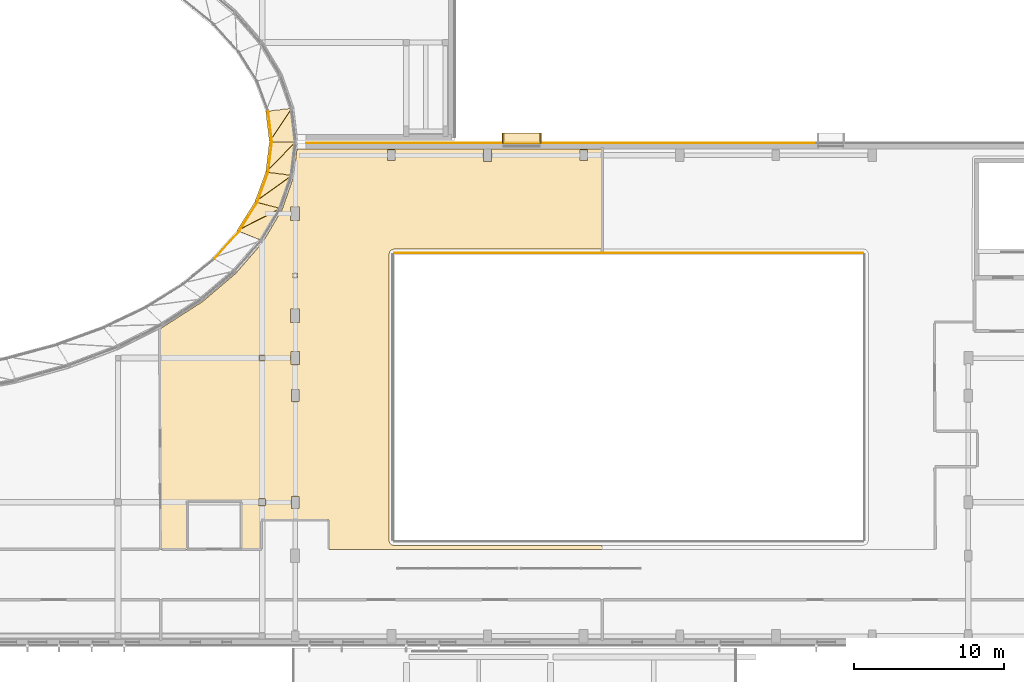
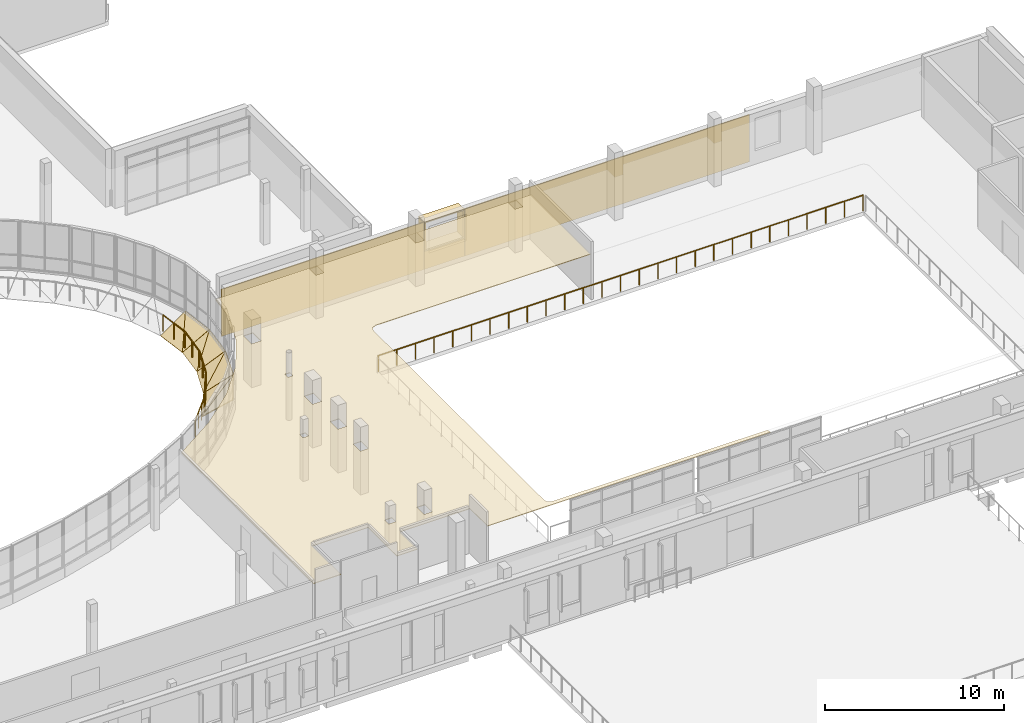
# One storey, part 62 of 73: 16 coverings, 6 railings.
"""IFC4 building model written with IfcOpenShell, lengths in metres."""

from ifc_helpers import new_model, si_unit, direction, frame, origin, origin_2d, place, context, subcontext, project, spatial, polyline, rectangle, circle, outline, extrude, material, layer, layer_set, type_object, element, save


model = new_model("IFC4")

# Units and contexts
model_context = context("Model", 3, precision=1e-05, world=origin(), true_north=direction((0.0, 1.0)))
body_context = subcontext(model_context, "Body", "Model", "MODEL_VIEW")
ifc_project = project(units=[si_unit("LENGTHUNIT", "METRE"), si_unit("AREAUNIT", "SQUARE_METRE"), si_unit("VOLUMEUNIT", "CUBIC_METRE"), si_unit("PLANEANGLEUNIT", "RADIAN"), si_unit("MASSUNIT", "GRAM", prefix="KILO")], contexts=[model_context])

# Site, building, storey
site_placement = place(None, origin())
site = spatial("IfcSite", under=ifc_project, at=site_placement, CompositionType="ELEMENT")
building_placement = place(site_placement, origin())
building = spatial("IfcBuilding", under=site, at=building_placement, Name="Mzevani Central Library", CompositionType="ELEMENT")
storey_placement = place(building_placement, frame((0.0, 0.0, 9.60009765625)))
storey = spatial("IfcBuildingStorey", under=building, at=storey_placement, Name="L02", CompositionType="ELEMENT", Elevation=9.60009765625)

# Railing
ifc_material_1 = material(Name="Brushed stainless steel rail", Category="steel")
railing_type_1 = type_object("IfcRailingType", Name="Interior Gallery and Stair Guard 1100", PredefinedType="BALUSTRADE", material=ifc_material_1)
railing_1_placement = place(storey_placement, frame((120.800048828125, 68.60009765625, 0.0)))
element("IfcRailing", 1, at=railing_1_placement, inside=storey, type_object=railing_type_1, Name="L02 V1 Double-Height Void Guard 7", PredefinedType="BALUSTRADE", context=body_context, shape_type="SweptSolid", body=[
    extrude(circle(Radius=0.02392578125, at=origin_2d()), frame((0.0, 0.0, 1.076171875), z_axis=(1.0, 0.0, 0.0), x_axis=(0.0, 1.0, 0.0)), (0.0, 0.0, 1.0), 31.199951171875),
    extrude(circle(Radius=0.02099609375, at=origin_2d()), origin(), (0.0, 0.0, 1.0), 1.052001953125),
    extrude(circle(Radius=0.02099609375, at=origin_2d()), frame((1.199951171875, 0.0, 0.0)), (0.0, 0.0, 1.0), 1.052001953125),
    extrude(circle(Radius=0.02099609375, at=origin_2d()), frame((2.39990234375, 0.0, 0.0)), (0.0, 0.0, 1.0), 1.052001953125),
    extrude(circle(Radius=0.02099609375, at=origin_2d()), frame((3.60009765625, 0.0, 0.0)), (0.0, 0.0, 1.0), 1.052001953125),
    extrude(circle(Radius=0.02099609375, at=origin_2d()), frame((4.800048828125, 0.0, 0.0)), (0.0, 0.0, 1.0), 1.052001953125),
    extrude(circle(Radius=0.02099609375, at=origin_2d()), frame((6.0, 0.0, 0.0)), (0.0, 0.0, 1.0), 1.052001953125),
    extrude(circle(Radius=0.02099609375, at=origin_2d()), frame((7.199951171875, 0.0, 0.0)), (0.0, 0.0, 1.0), 1.052001953125),
    extrude(circle(Radius=0.02099609375, at=origin_2d()), frame((8.39990234375, 0.0, 0.0)), (0.0, 0.0, 1.0), 1.052001953125),
    extrude(circle(Radius=0.02099609375, at=origin_2d()), frame((9.60009765625, 0.0, 0.0)), (0.0, 0.0, 1.0), 1.052001953125),
    extrude(circle(Radius=0.02099609375, at=origin_2d()), frame((10.800048828125, 0.0, 0.0)), (0.0, 0.0, 1.0), 1.052001953125),
    extrude(circle(Radius=0.02099609375, at=origin_2d()), frame((12.0, 0.0, 0.0)), (0.0, 0.0, 1.0), 1.052001953125),
    extrude(circle(Radius=0.02099609375, at=origin_2d()), frame((13.199951171875, 0.0, 0.0)), (0.0, 0.0, 1.0), 1.052001953125),
    extrude(circle(Radius=0.02099609375, at=origin_2d()), frame((14.39990234375, 0.0, 0.0)), (0.0, 0.0, 1.0), 1.052001953125),
    extrude(circle(Radius=0.02099609375, at=origin_2d()), frame((15.60009765625, 0.0, 0.0)), (0.0, 0.0, 1.0), 1.052001953125),
    extrude(circle(Radius=0.02099609375, at=origin_2d()), frame((16.800048828125, 0.0, 0.0)), (0.0, 0.0, 1.0), 1.052001953125),
    extrude(circle(Radius=0.02099609375, at=origin_2d()), frame((18.0, 0.0, 0.0)), (0.0, 0.0, 1.0), 1.052001953125),
    extrude(circle(Radius=0.02099609375, at=origin_2d()), frame((19.199951171875, 0.0, 0.0)), (0.0, 0.0, 1.0), 1.052001953125),
    extrude(circle(Radius=0.02099609375, at=origin_2d()), frame((20.39990234375, 0.0, 0.0)), (0.0, 0.0, 1.0), 1.052001953125),
    extrude(circle(Radius=0.02099609375, at=origin_2d()), frame((21.599853515625, 0.0, 0.0)), (0.0, 0.0, 1.0), 1.052001953125),
    extrude(circle(Radius=0.02099609375, at=origin_2d()), frame((22.800048828125, 0.0, 0.0)), (0.0, 0.0, 1.0), 1.052001953125),
    extrude(circle(Radius=0.02099609375, at=origin_2d()), frame((24.0, 0.0, 0.0)), (0.0, 0.0, 1.0), 1.052001953125),
    extrude(circle(Radius=0.02099609375, at=origin_2d()), frame((25.199951171875, 0.0, 0.0)), (0.0, 0.0, 1.0), 1.052001953125),
    extrude(circle(Radius=0.02099609375, at=origin_2d()), frame((26.39990234375, 0.0, 0.0)), (0.0, 0.0, 1.0), 1.052001953125),
    extrude(circle(Radius=0.02099609375, at=origin_2d()), frame((27.599853515625, 0.0, 0.0)), (0.0, 0.0, 1.0), 1.052001953125),
    extrude(circle(Radius=0.02099609375, at=origin_2d()), frame((28.800048828125, 0.0, 0.0)), (0.0, 0.0, 1.0), 1.052001953125),
    extrude(circle(Radius=0.02099609375, at=origin_2d()), frame((30.0, 0.0, 0.0)), (0.0, 0.0, 1.0), 1.052001953125),
    extrude(circle(Radius=0.02099609375, at=origin_2d()), frame((31.199951171875, 0.0, 0.0)), (0.0, 0.0, 1.0), 1.052001953125),
])

# Coverings
ifc_material_2 = material(Name="Limestone ashlar cladding", Category="masonry")
ifc_layer_1 = layer(ifc_material_2, 0.050048828125, Name="Limestone Ashlar Spandrel Cladding")
ifc_layer_set_1 = layer_set([ifc_layer_1], Name="Limestone ashlar cladding")
covering_type_1 = type_object("IfcCoveringType", Name="Limestone Ashlar Spandrel Cladding", PredefinedType="CLADDING", material=ifc_layer_set_1)
covering_1_placement = place(storey_placement, frame((112.47998046875, 76.002685546875, -0.280029296875), z_axis=(-0.479734759753, -0.057922107263, 0.875499622944), x_axis=(-0.119867246619, 0.992789929032, 0.0)))
element("IfcCovering", 2, at=covering_1_placement, inside=storey, type_object=covering_type_1, Name="L02 Curved Court Spandrel Apron 1A", PredefinedType="CLADDING", context=body_context, shape_type="SweptSolid", body=[
    extrude(outline(polyline([(0.0, 0.0), (2.0265746375832947, 0.0), (2.0320000634221618, -1.9865968259319575), (0.0, 0.0)])), origin(), (0.0, 0.0, -1.0), 0.06005859375),
])
covering_2_placement = place(storey_placement, frame((112.47998046875, 76.002685546875, -0.280029296875), z_axis=(-0.482186619498, -0.055767405861, 0.874291747885), x_axis=(0.521914269667, 0.783258007663, 0.3378052524)))
element("IfcCovering", 3, at=covering_2_placement, inside=storey, type_object=covering_type_1, Name="L02 Curved Court Spandrel Apron 1B", PredefinedType="CLADDING", context=body_context, shape_type="SweptSolid", body=[
    extrude(outline(polyline([(0.0, 0.0), (2.84175847083291, 1.6653345369377348e-16), (1.2364213062782332, -1.555756939973536), (0.0, 0.0)])), origin(), (0.0, 0.0, -1.0), 0.06005859375),
])
covering_3_placement = place(storey_placement, frame((110.31689453125, 70.08740234375, -0.280029296875), z_axis=(-0.424403574103, 0.265442184263, 0.86569166168), x_axis=(0.530271784497, 0.847827715144, 0.0)))
element("IfcCovering", 4, at=covering_3_placement, inside=storey, type_object=covering_type_1, Name="L02 Curved Court Spandrel Apron 46A", PredefinedType="CLADDING", context=body_context, shape_type="SweptSolid", body=[
    extrude(outline(polyline([(0.0, 0.0), (2.2518486402346767, -2.220446049250313e-16), (2.7715644525760066, -1.9177064896022358), (0.0, 0.0)])), origin(), (0.0, 0.0, -1.0), 0.06005859375),
])
covering_4_placement = place(storey_placement, frame((110.31689453125, 70.08740234375, -0.280029296875), z_axis=(-0.419291796446, 0.251011552802, 0.872460652289), x_axis=(0.853682509107, 0.436004668843, 0.28482644258)))
element("IfcCovering", 5, at=covering_4_placement, inside=storey, type_object=covering_type_1, Name="L02 Curved Court Spandrel Apron 46B", PredefinedType="CLADDING", context=body_context, shape_type="SweptSolid", body=[
    extrude(outline(polyline([(0.0, 0.0), (3.3703364364771473, 0.0), (1.3746982965026384, -1.4314135002236956), (0.0, 0.0)])), origin(), (0.0, 0.0, -1.0), 0.06005859375),
])
covering_5_placement = place(storey_placement, frame((111.51171875, 72.00244140625, -0.280029296875), z_axis=(-0.462236679282, 0.169450635978, 0.870415839868), x_axis=(0.344189928554, 0.938900044244, 0.0)))
element("IfcCovering", 6, at=covering_5_placement, inside=storey, type_object=covering_type_1, Name="L02 Curved Court Spandrel Apron 47A", PredefinedType="CLADDING", context=body_context, shape_type="SweptSolid", body=[
    extrude(outline(polyline([(0.0, 0.0), (2.105969569387598, 0.0), (2.489700788735665, -1.9498828351113338), (0.0, 0.0)])), origin(), (0.0, 0.0, -1.0), 0.06005859375),
])
covering_6_placement = place(storey_placement, frame((111.51171875, 72.00244140625, -0.280029296875), z_axis=(-0.457461439581, 0.160469695137, 0.874630498118), x_axis=(0.774871691461, 0.554461341842, 0.303556390438)))
element("IfcCovering", 7, at=covering_6_placement, inside=storey, type_object=covering_type_1, Name="L02 Curved Court Spandrel Apron 47B", PredefinedType="CLADDING", context=body_context, shape_type="SweptSolid", body=[
    extrude(outline(polyline([(0.0, 0.0), (3.16238092077675, 2.7755575615628914e-16), (1.3589429274931655, -1.4483130988072601), (0.0, 0.0)])), origin(), (0.0, 0.0, -1.0), 0.06005859375),
])
covering_7_placement = place(storey_placement, frame((112.237060546875, 73.9853515625, -0.280029296875), z_axis=(-0.482113769095, 0.058209343557, 0.874172743782), x_axis=(0.119867246619, 0.992789929032, 0.0)))
element("IfcCovering", 8, at=covering_7_placement, inside=storey, type_object=covering_type_1, Name="L02 Curved Court Spandrel Apron 48A", PredefinedType="CLADDING", context=body_context, shape_type="SweptSolid", body=[
    extrude(outline(polyline([(0.0, 0.0), (2.0265746375832947, 0.0), (2.2300524886926474, -1.9767938858167566), (0.0, 0.0)])), origin(), (0.0, 0.0, -1.0), 0.06005859375),
])
covering_8_placement = place(storey_placement, frame((112.237060546875, 73.9853515625, -0.280029296875), z_axis=(-0.480029442013, 0.055517916996, 0.87549385817), x_axis=(0.665389302731, 0.673417885797, 0.322126414471)))
element("IfcCovering", 9, at=covering_8_placement, inside=storey, type_object=covering_type_1, Name="L02 Curved Court Spandrel Apron 48B", PredefinedType="CLADDING", context=body_context, shape_type="SweptSolid", body=[
    extrude(outline(polyline([(0.0, 0.0), (2.9800751952470566, 0.0), (1.3137181064570167, -1.4902151256833533), (0.0, 0.0)])), origin(), (0.0, 0.0, -1.0), 0.06005859375),
])
for number, where, z_axis, x_axis, name in (
    (10, (129.280517578125, 76.238037109375, 3.11962890625), (0.0, 0.0, 1.0), (1.0, 0.0, 0.0), "L02 Deep Window Reveal HD (REV4-0118)"),
    (11, (129.280517578125, 76.238037109375, 1.22998046875), (0.0, 0.0, 1.0), (1.0, 0.0, 0.0), "L02 Deep Window Reveal SL (REV4-0118)"),
):
    element("IfcCovering", number, at=place(storey_placement, frame(where, z_axis=z_axis, x_axis=x_axis)), inside=storey, type_object=covering_type_1, Name=name, PredefinedType="CLADDING", context=body_context, shape_type="SweptSolid", body=[
        extrude(rectangle(XDim=2.580078125, YDim=0.679931640625, at=origin_2d()), origin(), (0.0, 0.0, 1.0), 0.090087890625),
    ])
for number, where, z_axis, x_axis, name in (
    (12, (128.035400390625, 76.238037109375, 1.31982421875), (0.0, 0.0, 1.0), (1.0, 0.0, 0.0), "L02 Deep Window Reveal JL (REV4-0118)"),
    (13, (130.525390625, 76.238037109375, 1.31982421875), (0.0, 0.0, 1.0), (1.0, 0.0, 0.0), "L02 Deep Window Reveal JR (REV4-0118)"),
):
    element("IfcCovering", number, at=place(storey_placement, frame(where, z_axis=z_axis, x_axis=x_axis)), inside=storey, type_object=covering_type_1, Name=name, PredefinedType="CLADDING", context=body_context, shape_type="SweptSolid", body=[
        extrude(rectangle(XDim=0.090087890625, YDim=0.679931640625, at=origin_2d()), origin(), (0.0, 0.0, 1.0), 1.800048828125),
    ])
covering_9_placement = place(storey_placement, frame((121.45166015625, 75.924072265625, 0.0), z_axis=(0.0, 0.0, 1.0), x_axis=(1.0, 0.0, 0.0)))
element("IfcCovering", 14, at=covering_9_placement, inside=storey, type_object=covering_type_1, Name="L02 Warm-White Facade Pier 1 (EW4-V1-L02-0014)", PredefinedType="CLADDING", context=body_context, shape_type="SweptSolid", body=[
    extrude(rectangle(XDim=13.017578125, YDim=0.050048828125, at=origin_2d()), origin(), (0.0, 0.0, 1.0), 3.219970703125),
])
covering_10_placement = place(storey_placement, frame((129.280517578125, 75.924072265625, 0.0), z_axis=(0.0, 0.0, 1.0), x_axis=(1.0, 0.0, 0.0)))
element("IfcCovering", 15, at=covering_10_placement, inside=storey, type_object=covering_type_1, Name="L02 Warm-White Sill Cladding 2 (EW4-V1-L02-0014)", PredefinedType="CLADDING", context=body_context, shape_type="SweptSolid", body=[
    extrude(rectangle(XDim=2.60009765625, YDim=0.050048828125, at=origin_2d()), origin(), (0.0, 0.0, 1.0), 1.219970703125),
])
covering_11_placement = place(storey_placement, frame((139.75390625, 75.924072265625, 0.0), z_axis=(0.0, 0.0, 1.0), x_axis=(1.0, 0.0, 0.0)))
element("IfcCovering", 16, at=covering_11_placement, inside=storey, type_object=covering_type_1, Name="L02 Warm-White Facade Pier 3 (EW4-V1-L02-0014)", PredefinedType="CLADDING", context=body_context, shape_type="SweptSolid", body=[
    extrude(rectangle(XDim=18.306884765625, YDim=0.050048828125, at=origin_2d()), origin(), (0.0, 0.0, 1.0), 3.219970703125),
])
ifc_material_3 = material(Name="Mineral wool acoustic ceiling")
ifc_layer_2 = layer(ifc_material_3, 0.0400390625, Name="Perforated Timber Acoustic Ceiling")
ifc_layer_set_2 = layer_set([ifc_layer_2], Name="Mineral wool acoustic ceiling")
covering_type_2 = type_object("IfcCoveringType", Name="Perforated Timber Acoustic Ceiling", PredefinedType="CEILING", material=ifc_layer_set_2)
covering_12_placement = place(storey_placement, frame((0.0, 0.0, 2.949951171875)))
element("IfcCovering", 17, at=covering_12_placement, inside=storey, type_object=covering_type_2, Name="L02 Cartographic Folio Reading Room Acoustic Ceiling", PredefinedType="CEILING", context=body_context, shape_type="SweptSolid", body=[
    extrude(outline(polyline([(114.31884765625, 75.525634765625), (134.642578125, 75.5263671875), (134.6396484375, 68.87109375), (120.802001953125, 68.8701171875), (120.5390625, 68.760986328125), (120.429931640625, 68.498046875), (120.429931640625, 49.50146484375), (120.492919921875, 49.29443359375), (120.625732421875, 49.174072265625), (120.80126953125, 49.1298828125), (134.635009765625, 49.1298828125), (134.641357421875, 48.872314453125), (116.448974609375, 48.8701171875), (116.43994140625, 50.822998046875), (111.9599609375, 50.822998046875), (111.958251953125, 48.87451171875), (110.616943359375, 48.8701171875), (110.60791015625, 52.070068359375), (107.028076171875, 52.070068359375), (107.02685546875, 48.875244140625), (105.2421875, 48.873779296875), (105.240478515625, 63.5673828125), (108.04052734375, 65.36181640625), (110.24072265625, 67.230712890625), (112.015869140625, 69.2724609375), (113.327392578125, 71.475341796875), (114.10400390625, 73.696533203125), (114.31884765625, 75.525634765625)]), holes=[polyline([(111.77490234375, 51.77490234375), (112.22509765625, 51.77490234375), (112.22509765625, 52.22509765625), (111.77490234375, 52.22509765625), (111.77490234375, 51.77490234375)]), polyline([(111.824951171875, 61.77490234375), (111.824951171875, 61.425048828125), (112.175048828125, 61.425048828125), (112.175048828125, 61.77490234375), (111.824951171875, 61.77490234375)]), polyline([(114.449951171875, 52.39990234375), (113.949951171875, 52.39990234375), (113.949951171875, 51.60009765625), (114.449951171875, 51.60009765625), (114.449951171875, 52.39990234375)]), polyline([(114.47509765625, 61.175048828125), (114.47509765625, 62.02490234375), (113.925048828125, 62.02490234375), (113.925048828125, 61.175048828125), (114.47509765625, 61.175048828125)]), polyline([(113.89990234375, 70.75), (114.5, 70.75), (114.5, 71.64990234375), (113.89990234375, 71.64990234375), (113.89990234375, 70.75)]), polyline([(120.35009765625, 75.449951171875), (120.35009765625, 74.75), (120.85009765625, 74.75), (120.85009765625, 75.449951171875), (120.35009765625, 75.449951171875)]), polyline([(127.27490234375, 75.52490234375), (126.72509765625, 75.52490234375), (126.72509765625, 74.675048828125), (127.27490234375, 74.675048828125), (127.27490234375, 75.52490234375)]), polyline([(133.64990234375, 74.75), (133.64990234375, 75.449951171875), (133.14990234375, 75.449951171875), (133.14990234375, 74.75), (133.64990234375, 74.75)]), polyline([(113.949951171875, 58.699951171875), (114.449951171875, 58.699951171875), (114.449951171875, 59.5), (113.949951171875, 59.5), (113.949951171875, 58.699951171875)]), polyline([(113.89990234375, 64.883056640625), (113.89990234375, 63.98291015625), (114.5, 63.98291015625), (114.5, 64.883056640625), (113.89990234375, 64.883056640625)]), polyline([(114.362060546875, 67.261962890625), (114.0380859375, 67.261962890625), (114.0380859375, 66.93798828125), (114.362060546875, 66.93798828125), (114.362060546875, 67.261962890625)])]), origin(), (0.0, 0.0, 1.0), 0.0400390625),
])

# Railings
ifc_material_4 = material(Name="Anodized architectural bronze")
railing_type_2 = type_object("IfcRailingType", Name="Terrace and Court Balustrade 1100", PredefinedType="BALUSTRADE", material=ifc_material_4)
railing_2_placement = place(storey_placement, frame((112.639892578125, 76.008544921875, 0.0)))
element("IfcRailing", 18, at=railing_2_placement, inside=storey, type_object=railing_type_2, Name="L02 Elliptical Court Terrace Guard 1", PredefinedType="BALUSTRADE", context=body_context, shape_type="SweptSolid", body=[
    extrude(circle(Radius=0.02392578125, at=origin_2d()), frame((0.0, 0.0, 1.076171875), z_axis=(-0.119881584564, 0.992788197796, 0.0), x_axis=(-0.992788197796, -0.119881584564, 0.0)), (0.0, 0.0, 1.0), 2.0263671875),
    extrude(circle(Radius=0.02099609375, at=origin_2d()), origin(), (0.0, 0.0, 1.0), 1.052001953125),
    extrude(circle(Radius=0.02099609375, at=origin_2d()), frame((-0.12158203125, 1.005859375, 0.0)), (0.0, 0.0, 1.0), 1.052001953125),
    extrude(circle(Radius=0.02099609375, at=origin_2d()), frame((-0.242919921875, 2.01171875, 0.0)), (0.0, 0.0, 1.0), 1.052001953125),
])
railing_3_placement = place(storey_placement, frame((108.826904296875, 68.231689453125, 0.0)))
element("IfcRailing", 19, at=railing_3_placement, inside=storey, type_object=railing_type_2, Name="L02 Elliptical Court Terrace Guard 45", PredefinedType="BALUSTRADE", context=body_context, shape_type="SweptSolid", body=[
    extrude(circle(Radius=0.02392578125, at=origin_2d()), frame((0.0, 0.0, 1.076171875), z_axis=(0.67252356476, 0.740075708858, 0.0), x_axis=(-0.740075708858, 0.67252356476, 0.0)), (0.0, 0.0, 1.0), 2.443115234375),
    extrude(circle(Radius=0.02099609375, at=origin_2d()), origin(), (0.0, 0.0, 1.0), 1.052001953125),
    extrude(circle(Radius=0.02099609375, at=origin_2d()), frame((0.547607421875, 0.602783203125, 0.0)), (0.0, 0.0, 1.0), 1.052001953125),
    extrude(circle(Radius=0.02099609375, at=origin_2d()), frame((1.095458984375, 1.205322265625, 0.0)), (0.0, 0.0, 1.0), 1.052001953125),
    extrude(circle(Radius=0.02099609375, at=origin_2d()), frame((1.64306640625, 1.80810546875, 0.0)), (0.0, 0.0, 1.0), 1.052001953125),
])
railing_4_placement = place(storey_placement, frame((110.47412109375, 70.05859375, 0.0)))
element("IfcRailing", 20, at=railing_4_placement, inside=storey, type_object=railing_type_2, Name="L02 Elliptical Court Terrace Guard 46", PredefinedType="BALUSTRADE", context=body_context, shape_type="SweptSolid", body=[
    extrude(circle(Radius=0.02392578125, at=origin_2d()), frame((0.0, 0.0, 1.076171875), z_axis=(0.53032053051, 0.847797225119, 0.0), x_axis=(-0.847797225119, 0.53032053051, 0.0)), (0.0, 0.0, 1.0), 2.251708984375),
    extrude(circle(Radius=0.02099609375, at=origin_2d()), origin(), (0.0, 0.0, 1.0), 1.052001953125),
    extrude(circle(Radius=0.02099609375, at=origin_2d()), frame((0.59716796875, 0.95458984375, 0.0)), (0.0, 0.0, 1.0), 1.052001953125),
    extrude(circle(Radius=0.02099609375, at=origin_2d()), frame((1.194091796875, 1.908935546875, 0.0)), (0.0, 0.0, 1.0), 1.052001953125),
])
railing_5_placement = place(storey_placement, frame((111.6708984375, 71.985107421875, 0.0)))
element("IfcRailing", 21, at=railing_5_placement, inside=storey, type_object=railing_type_2, Name="L02 Elliptical Court Terrace Guard 47", PredefinedType="BALUSTRADE", context=body_context, shape_type="SweptSolid", body=[
    extrude(circle(Radius=0.02392578125, at=origin_2d()), frame((0.0, 0.0, 1.076171875), z_axis=(0.344087728137, 0.938937503429, 0.0), x_axis=(-0.938937503429, 0.344087728137, 0.0)), (0.0, 0.0, 1.0), 2.10595703125),
    extrude(circle(Radius=0.02099609375, at=origin_2d()), origin(), (0.0, 0.0, 1.0), 1.052001953125),
    extrude(circle(Radius=0.02099609375, at=origin_2d()), frame((0.3623046875, 0.98876953125, 0.0)), (0.0, 0.0, 1.0), 1.052001953125),
    extrude(circle(Radius=0.02099609375, at=origin_2d()), frame((0.724609375, 1.977294921875, 0.0)), (0.0, 0.0, 1.0), 1.052001953125),
])
railing_6_placement = place(storey_placement, frame((112.39697265625, 73.979736328125, 0.0)))
element("IfcRailing", 22, at=railing_6_placement, inside=storey, type_object=railing_type_2, Name="L02 Elliptical Court Terrace Guard 48", PredefinedType="BALUSTRADE", context=body_context, shape_type="SweptSolid", body=[
    extrude(circle(Radius=0.02392578125, at=origin_2d()), frame((0.0, 0.0, 1.076171875), z_axis=(0.119881584564, 0.992788197796, 0.0), x_axis=(-0.992788197796, 0.119881584564, 0.0)), (0.0, 0.0, 1.0), 2.0263671875),
    extrude(circle(Radius=0.02099609375, at=origin_2d()), origin(), (0.0, 0.0, 1.0), 1.052001953125),
    extrude(circle(Radius=0.02099609375, at=origin_2d()), frame((0.12158203125, 1.005859375, 0.0)), (0.0, 0.0, 1.0), 1.052001953125),
    extrude(circle(Radius=0.02099609375, at=origin_2d()), frame((0.242919921875, 2.01171875, 0.0)), (0.0, 0.0, 1.0), 1.052001953125),
])

save(model, "model.ifc")
